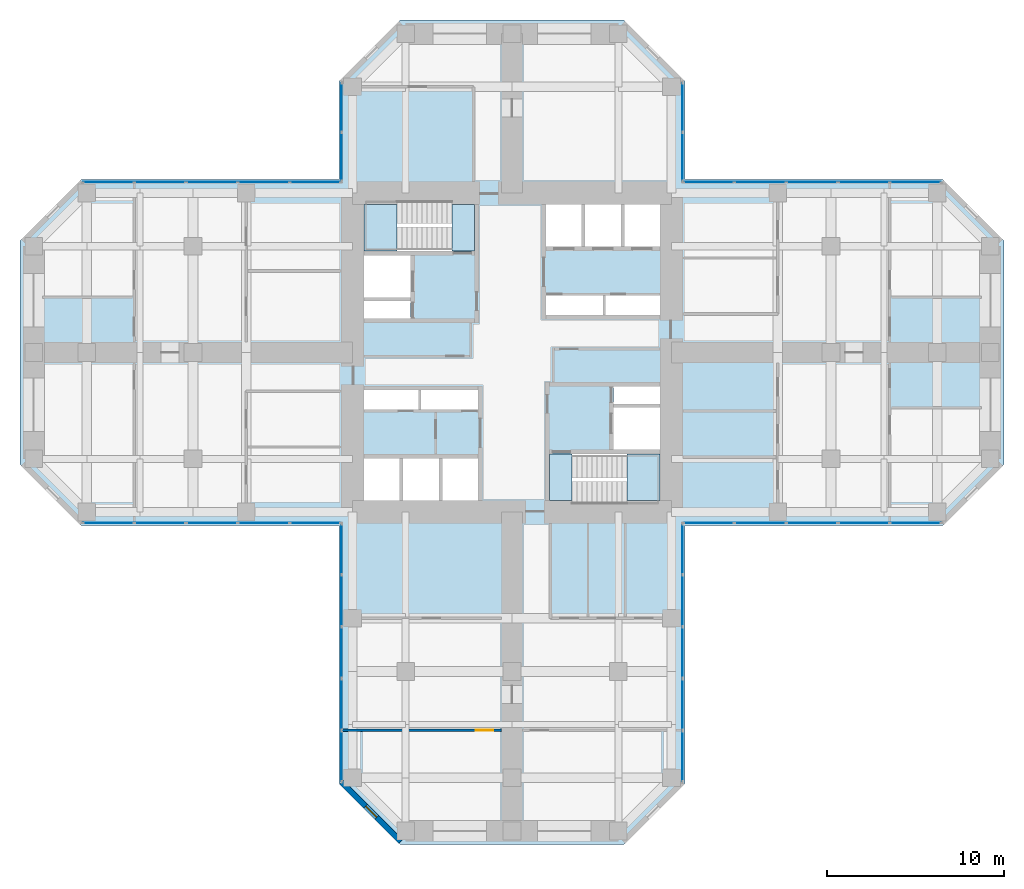
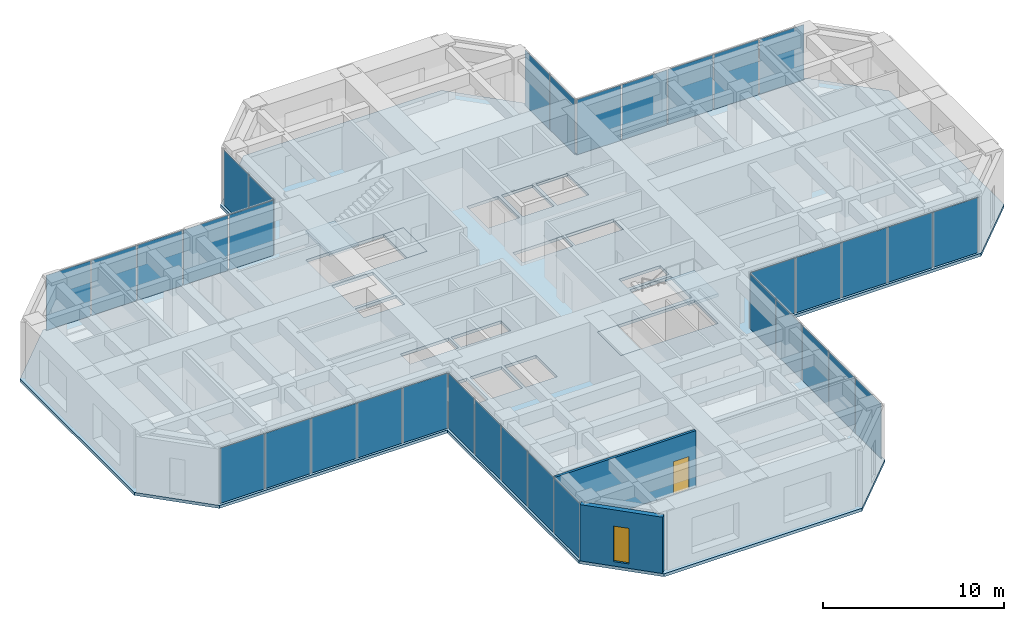
# One storey, part 7 of 13: 34 plates, 5 slabs, 2 walls, 1 door, 1 window, 2 openings, 10 elements without a shape of their own.
"""IFC4 building model written with IfcOpenShell, lengths in metres."""

import ifcopenshell
import ifcopenshell.guid

model = None  # the IFC model being written
_history = None  # IfcOwnerHistory: only IFC2X3 demands one
_inside = {}  # id of a spatial element -> (the spatial element, [elements in it])
_under = {}  # id of a project, library or spatial element -> (it, [spatial elements below it])
_declared = {}  # id of a project -> (the project, [libraries it declares])
_typed = {}  # id of a type object -> (the type object, [elements of that type])
_made_of = {}  # id of a material, layer set ... -> (it, [elements and type objects made of it])


def new_model(schema):
    """Start an empty IFC model of exactly this schema.

    Asked for "IFC4X3", IfcOpenShell would pick the latest addendum, in which some entities
    have other attributes; the version numbers below select the first issue.
    IFC2X3 requires an IfcOwnerHistory on every rooted entity: one is made here for all.
    """
    global model, _history
    if schema == "IFC4X3":
        model = ifcopenshell.file(schema_version=(4, 3, 0, 0))
    else:
        model = ifcopenshell.file(schema=schema)
    _inside.clear()
    _under.clear()
    _declared.clear()
    _typed.clear()
    _made_of.clear()
    _history = None
    if model.schema == "IFC2X3":
        org = make("IfcOrganization", Name="unknown")
        user = make(
            "IfcPersonAndOrganization",
            ThePerson=make("IfcPerson", FamilyName="unknown"),
            TheOrganization=org,
        )
        app = make(
            "IfcApplication",
            ApplicationDeveloper=org,
            Version="unknown",
            ApplicationFullName="unknown",
            ApplicationIdentifier="unknown",
        )
        _history = make(
            "IfcOwnerHistory",
            OwningUser=user,
            OwningApplication=app,
            ChangeAction="ADDED",
            CreationDate=0,
        )
    return model


def make(cls, **values):
    """One entity of the class cls with the attributes given. An attribute that is None is left unset."""
    return model.create_entity(
        cls, **{name: value for name, value in values.items() if value is not None}
    )


def rooted(cls, **values):
    """An entity with a GlobalId (a new one), such as an element, a storey or a relation."""
    return make(cls, GlobalId=ifcopenshell.guid.new(), OwnerHistory=_history, **values)


def si_unit(unit_type, name, prefix=None):
    """IfcSIUnit, for example si_unit("LENGTHUNIT", "METRE", prefix="MILLI")."""
    return make("IfcSIUnit", UnitType=unit_type, Prefix=prefix, Name=name)


def assignment(units):
    """IfcUnitAssignment: the units of a project."""
    return None if units is None else make("IfcUnitAssignment", Units=units)


def point(xyz):
    """IfcCartesianPoint."""
    return None if xyz is None else make("IfcCartesianPoint", Coordinates=xyz)


def direction(xyz):
    """IfcDirection."""
    return None if xyz is None else make("IfcDirection", DirectionRatios=xyz)


def frame(location, z_axis=None, x_axis=None):
    """IfcAxis2Placement3D, a coordinate frame: its origin and axes. An axis left out is left unset."""
    return make(
        "IfcAxis2Placement3D",
        Location=point(location),
        Axis=direction(z_axis),
        RefDirection=direction(x_axis),
    )


def frame_2d(location, x_axis=None):
    """IfcAxis2Placement2D, a coordinate frame in the plane: its origin and x axis."""
    return make(
        "IfcAxis2Placement2D", Location=point(location), RefDirection=direction(x_axis)
    )


def origin():
    """The frame at (0, 0, 0) with its axes left unset."""
    return frame((0.0, 0.0, 0.0))


def origin_2d():
    """The frame at (0, 0) in the plane with its x axis left unset."""
    return frame_2d((0.0, 0.0))


def place(relative_to, where):
    """IfcLocalPlacement: puts the frame where relative to a parent placement (None: the world)."""
    return make(
        "IfcLocalPlacement", PlacementRelTo=relative_to, RelativePlacement=where
    )


def context(
    kind, dimensions, precision=None, world=None, true_north=None, identifier=None
):
    """IfcGeometricRepresentationContext, for example the 3D "Model" context."""
    return make(
        "IfcGeometricRepresentationContext",
        ContextIdentifier=identifier,
        ContextType=kind,
        CoordinateSpaceDimension=dimensions,
        Precision=precision,
        WorldCoordinateSystem=world,
        TrueNorth=true_north,
    )


def subcontext(parent, identifier, kind, view, scale=None):
    """IfcGeometricRepresentationSubContext, for example "Body" below "Model"."""
    return make(
        "IfcGeometricRepresentationSubContext",
        ContextIdentifier=identifier,
        ContextType=kind,
        ParentContext=parent,
        TargetScale=scale,
        TargetView=view,
    )


def project(units=None, contexts=None):
    """IfcProject with its units and contexts."""
    return rooted(
        "IfcProject",
        Name="project",
        RepresentationContexts=contexts,
        UnitsInContext=assignment(units),
    )


def spatial(cls, under=None, at=None, **own):
    """A site, building, storey or space (cls), placed at a placement, below another one or the project."""
    s = rooted(cls, ObjectPlacement=at, **own)
    if under is not None:
        _under.setdefault(under.id(), (under, []))[1].append(s)
    return s


def polyline(points):
    """IfcPolyline through the points."""
    return make("IfcPolyline", Points=[point(p) for p in points])


def profile(cls, at=None, kind="AREA", **sizes):
    """A parametric profile (cls). Its sizes go by their IFC names, for example OverallWidth=200.0."""
    return make(cls, ProfileType=kind, Position=at, **sizes)


def rectangle(**sizes):
    """IfcRectangleProfileDef."""
    return profile("IfcRectangleProfileDef", **sizes)


def hollow_rectangle(**sizes):
    """IfcRectangleHollowProfileDef."""
    return profile("IfcRectangleHollowProfileDef", **sizes)


def outline(outer, holes=None, kind="AREA"):
    """IfcArbitraryClosedProfileDef: a profile drawn as a closed curve; with holes, ...WithVoids."""
    if holes is None:
        return make("IfcArbitraryClosedProfileDef", ProfileType=kind, OuterCurve=outer)
    return make(
        "IfcArbitraryProfileDefWithVoids",
        ProfileType=kind,
        OuterCurve=outer,
        InnerCurves=holes,
    )


def extrude(swept, where, along, depth):
    """IfcExtrudedAreaSolid: the profile swept, set in the frame where, extruded along a direction by depth."""
    return make(
        "IfcExtrudedAreaSolid",
        SweptArea=swept,
        Position=where,
        ExtrudedDirection=direction(along),
        Depth=depth,
    )


def shape(context_of_items, identifier, shape_type, items):
    """IfcShapeRepresentation: the items that make up one representation, for example the "Body"."""
    return make(
        "IfcShapeRepresentation",
        ContextOfItems=context_of_items,
        RepresentationIdentifier=identifier,
        RepresentationType=shape_type,
        Items=items,
    )


def material(Name=None, Category=None):
    """IfcMaterial."""
    return make("IfcMaterial", Name=Name, Category=Category)


def layer(
    of_material, thickness, ventilated=None, Name=None, Category=None, Priority=None
):
    """IfcMaterialLayer: one layer of a wall or slab, of a material (None: an air gap)."""
    return make(
        "IfcMaterialLayer",
        Material=of_material,
        LayerThickness=thickness,
        IsVentilated=ventilated,
        Name=Name,
        Category=Category,
        Priority=Priority,
    )


def layer_set(layers, Name=None):
    """IfcMaterialLayerSet."""
    return make("IfcMaterialLayerSet", MaterialLayers=layers, LayerSetName=Name)


def constituent(of_material, Name=None, Category=None, fraction=None):
    """IfcMaterialConstituent: one of the materials an element consists of."""
    return make(
        "IfcMaterialConstituent",
        Name=Name,
        Material=of_material,
        Fraction=fraction,
        Category=Category,
    )


def constituent_set(constituents=None, Name=None):
    """IfcMaterialConstituentSet."""
    return make(
        "IfcMaterialConstituentSet", Name=Name, MaterialConstituents=constituents
    )


def made_of(thing, what):
    """Note that an element or type object is made of a material, layer set ...; save() writes the relation."""
    if what is not None:
        _made_of.setdefault(what.id(), (what, []))[1].append(thing)
    return thing


def type_object(cls, material=None, **own):
    """A type object (cls), such as IfcWallType, which elements share."""
    return made_of(rooted(cls, **own), material)


def element(
    cls,
    number,
    at=None,
    inside=None,
    cuts=None,
    type_object=None,
    material=None,
    context=None,
    identifier="Body",
    shape_type=None,
    held_by="IfcProductDefinitionShape",
    body=None,
    shapes=None,
    **own,
):
    """One element of the class cls, such as IfcWall. Its Tag is "e" and its number.

    at: its placement. inside: the storey or other place that contains it. cuts: it is an
    opening in that element (IfcRelVoidsElement). A single representation is given by context,
    identifier, shape_type and body (its items); several are given by shapes. held_by: the class
    of the entity that holds the representations. save() writes the other relations.
    """
    e = rooted(cls, Tag="e%d" % number, ObjectPlacement=at, **own)
    if body is not None:
        shapes = [shape(context, identifier, shape_type, body)]
    if shapes is not None:
        e.Representation = make(held_by, Representations=shapes)
    if inside is not None:
        _inside.setdefault(inside.id(), (inside, []))[1].append(e)
    if cuts is not None:
        rooted(
            "IfcRelVoidsElement", RelatingBuildingElement=cuts, RelatedOpeningElement=e
        )
    if type_object is not None:
        _typed.setdefault(type_object.id(), (type_object, []))[1].append(e)
    return made_of(e, material)


def fill(opening, filler):
    """IfcRelFillsElement: the door or window that sits in an opening."""
    return rooted(
        "IfcRelFillsElement",
        RelatingOpeningElement=opening,
        RelatedBuildingElement=filler,
    )


def aggregate(whole, parts):
    """IfcRelAggregates: a whole, such as a stair, and the parts it consists of."""
    return rooted("IfcRelAggregates", RelatingObject=whole, RelatedObjects=parts)


def save(model, path):
    """Write the relations noted so far, then the file.

    IfcRelAggregates (storeys below a building ...), IfcRelContainedInSpatialStructure (elements
    in a storey), IfcRelDefinesByType, IfcRelAssociatesMaterial and IfcRelDeclares: one each for
    every whole, place, type object, material and project.
    """
    for whole, parts in _under.values():
        aggregate(whole, parts)
    for where, things in _inside.values():
        rooted(
            "IfcRelContainedInSpatialStructure",
            RelatedElements=things,
            RelatingStructure=where,
        )
    for kind, things in _typed.values():
        rooted("IfcRelDefinesByType", RelatedObjects=things, RelatingType=kind)
    for what, things in _made_of.values():
        rooted("IfcRelAssociatesMaterial", RelatedObjects=things, RelatingMaterial=what)
    for by, libraries in _declared.values():
        rooted("IfcRelDeclares", RelatingContext=by, RelatedDefinitions=libraries)
    model.write(path)


model = new_model("IFC4")

# Units and contexts
model_context = context("Model", 3, precision=1e-05, world=origin(), true_north=direction((0.0, 1.0)))
body_context = subcontext(model_context, "Body", "Model", "MODEL_VIEW")
ifc_project = project(units=[si_unit("LENGTHUNIT", "METRE"), si_unit("AREAUNIT", "SQUARE_METRE"), si_unit("VOLUMEUNIT", "CUBIC_METRE"), si_unit("PLANEANGLEUNIT", "RADIAN"), si_unit("MASSUNIT", "GRAM", prefix="KILO")], contexts=[model_context])

# Site, building, storey
site_placement = place(None, origin())
site = spatial("IfcSite", under=ifc_project, at=site_placement, CompositionType="ELEMENT")
building_placement = place(site_placement, origin())
building = spatial("IfcBuilding", under=site, at=building_placement, Name="Torre Cruceta", CompositionType="ELEMENT")
storey_placement = place(building_placement, frame((0.0, 0.0, 132.5)))
storey = spatial("IfcBuildingStorey", under=building, at=storey_placement, Name="L32", CompositionType="ELEMENT", Elevation=132.5)

# Curtain wall, plate
ifc_material_1 = material(Name="Aluminium unitised curtain wall", Category="aluminium")
curtain_wall_type = type_object("IfcCurtainWallType", Name="CURTAIN WALL CW-B OFFICE MID RISE", PredefinedType="USERDEFINED", material=ifc_material_1)
curtain_wall_1_placement = place(storey_placement, origin())
curtain_wall_1 = element("IfcCurtainWall", 1, at=curtain_wall_1_placement, inside=storey, type_object=curtain_wall_type, Name="CW-B L32 E side 00", ObjectType="UNITISED", PredefinedType="USERDEFINED")
ifc_material_2 = material(Name="Laminated insulating glass unit, diagonal frit 50 %", Category="glass")
ifc_material_3 = material(Name="Laminated insulating glass unit, diagonal frit 50 %", Category="glass")
ifc_layer_1 = layer(ifc_material_3, 0.031982421875)
ifc_layer_set_1 = layer_set([ifc_layer_1], Name="Laminated insulating glass unit, diagonal frit 50 %")
plate_type_1 = type_object("IfcPlateType", Name="CW-B OPERABLE VENT PANEL 32", PredefinedType="CURTAIN_PANEL", material=ifc_layer_set_1)
plate_1_placement = place(storey_placement, frame((16.9384765625, -9.6201171875, 0.010009765625), z_axis=(0.0, 0.0, 1.0), x_axis=(1.0, 0.0, 0.0)))
plate_1 = element("IfcPlate", 2, at=plate_1_placement, type_object=plate_type_1, material=ifc_material_2, Name="CW-B vent 3", PredefinedType="CURTAIN_PANEL", context=body_context, shape_type="SweptSolid", body=[
    extrude(rectangle(XDim=2.8623046875, YDim=0.031982421875, at=origin_2d()), origin(), (0.0, 0.0, 1.0), 3.72509765625),
])

curtain_wall_2_placement = place(storey_placement, origin())
curtain_wall_2 = element("IfcCurtainWall", 3, at=curtain_wall_2_placement, inside=storey, type_object=curtain_wall_type, Name="CW-B L32 E side 04", ObjectType="UNITISED", PredefinedType="USERDEFINED")
plate_2_placement = place(storey_placement, frame((16.9384765625, 9.6201171875, 0.010009765625), z_axis=(0.0, 0.0, 1.0), x_axis=(-1.0, 0.0, 0.0)))
plate_2 = element("IfcPlate", 4, at=plate_2_placement, type_object=plate_type_1, material=ifc_material_2, Name="CW-B vent 3", PredefinedType="CURTAIN_PANEL", context=body_context, shape_type="SweptSolid", body=[
    extrude(rectangle(XDim=2.8623046875, YDim=0.031982421875, at=origin_2d()), origin(), (0.0, 0.0, 1.0), 3.72509765625),
])

curtain_wall_3_placement = place(storey_placement, origin())
curtain_wall_3 = element("IfcCurtainWall", 5, at=curtain_wall_3_placement, inside=storey, type_object=curtain_wall_type, Name="CW-B L32 W side 10", ObjectType="UNITISED", PredefinedType="USERDEFINED")
plate_3_placement = place(storey_placement, frame((-16.9384765625, 9.6201171875, 0.010009765625), z_axis=(0.0, 0.0, 1.0), x_axis=(-1.0, 0.0, 0.0)))
plate_3 = element("IfcPlate", 6, at=plate_3_placement, type_object=plate_type_1, material=ifc_material_2, Name="CW-B vent 3", PredefinedType="CURTAIN_PANEL", context=body_context, shape_type="SweptSolid", body=[
    extrude(rectangle(XDim=2.8623046875, YDim=0.031982421875, at=origin_2d()), origin(), (0.0, 0.0, 1.0), 3.72509765625),
])

curtain_wall_4_placement = place(storey_placement, origin())
curtain_wall_4 = element("IfcCurtainWall", 7, at=curtain_wall_4_placement, inside=storey, type_object=curtain_wall_type, Name="CW-B L32 W side 14", ObjectType="UNITISED", PredefinedType="USERDEFINED")
plate_4_placement = place(storey_placement, frame((-16.9384765625, -9.6201171875, 0.010009765625), z_axis=(0.0, 0.0, 1.0), x_axis=(1.0, 0.0, 0.0)))
plate_4 = element("IfcPlate", 8, at=plate_4_placement, type_object=plate_type_1, material=ifc_material_2, Name="CW-B vent 3", PredefinedType="CURTAIN_PANEL", context=body_context, shape_type="SweptSolid", body=[
    extrude(rectangle(XDim=2.8623046875, YDim=0.031982421875, at=origin_2d()), origin(), (0.0, 0.0, 1.0), 3.72509765625),
])

curtain_wall_5_placement = place(storey_placement, origin())
curtain_wall_5 = element("IfcCurtainWall", 9, at=curtain_wall_5_placement, inside=storey, type_object=curtain_wall_type, Name="CW-B L32 S side 15", ObjectType="UNITISED", PredefinedType="USERDEFINED")
plate_5_placement = place(storey_placement, frame((-9.6201171875, -16.9384765625, 0.010009765625), z_axis=(0.0, 0.0, 1.0), x_axis=(0.0, -1.0, 0.0)))
plate_5 = element("IfcPlate", 10, at=plate_5_placement, type_object=plate_type_1, material=ifc_material_2, Name="CW-B vent 3", PredefinedType="CURTAIN_PANEL", context=body_context, shape_type="SweptSolid", body=[
    extrude(rectangle(XDim=2.8623046875, YDim=0.031982421875, at=origin_2d()), origin(), (0.0, 0.0, 1.0), 3.72509765625),
])

curtain_wall_6_placement = place(storey_placement, origin())
curtain_wall_6 = element("IfcCurtainWall", 11, at=curtain_wall_6_placement, inside=storey, type_object=curtain_wall_type, Name="CW-B L32 S side 19", ObjectType="UNITISED", PredefinedType="USERDEFINED")
plate_6_placement = place(storey_placement, frame((9.6201171875, -16.9384765625, 0.010009765625), z_axis=(0.0, 0.0, 1.0), x_axis=(0.0, 1.0, 0.0)))
plate_6 = element("IfcPlate", 12, at=plate_6_placement, type_object=plate_type_1, material=ifc_material_2, Name="CW-B vent 3", PredefinedType="CURTAIN_PANEL", context=body_context, shape_type="SweptSolid", body=[
    extrude(rectangle(XDim=2.8623046875, YDim=0.031982421875, at=origin_2d()), origin(), (0.0, 0.0, 1.0), 3.72509765625),
])

# Plate
ifc_material_4 = material(Name="Laminated insulating glass unit, diagonal frit 50 %", Category="glass")
ifc_layer_2 = layer(ifc_material_4, 0.031982421875)
ifc_layer_set_2 = layer_set([ifc_layer_2], Name="Laminated insulating glass unit, diagonal frit 50 %")
plate_type_2 = type_object("IfcPlateType", Name="CW-B PANEL 32", PredefinedType="CURTAIN_PANEL", material=ifc_layer_set_2)
plate_7_placement = place(storey_placement, frame((11.099853515625, -9.6201171875, 0.010009765625), z_axis=(0.0, 0.0, 1.0), x_axis=(1.0, 0.0, 0.0)))
plate_7 = element("IfcPlate", 13, at=plate_7_placement, type_object=plate_type_2, material=ifc_material_2, Name="CW-B panel 1", PredefinedType="CURTAIN_PANEL", context=body_context, shape_type="SweptSolid", body=[
    extrude(rectangle(XDim=2.829833984375, YDim=0.031982421875, at=origin_2d()), origin(), (0.0, 0.0, 1.0), 3.72509765625),
])

plate_8_placement = place(storey_placement, frame((14.010986328125, -9.6201171875, 0.010009765625), z_axis=(0.0, 0.0, 1.0), x_axis=(1.0, 0.0, 0.0)))
plate_8 = element("IfcPlate", 14, at=plate_8_placement, type_object=plate_type_2, material=ifc_material_2, Name="CW-B panel 2", PredefinedType="CURTAIN_PANEL", context=body_context, shape_type="SweptSolid", body=[
    extrude(rectangle(XDim=2.8623046875, YDim=0.031982421875, at=origin_2d()), origin(), (0.0, 0.0, 1.0), 3.72509765625),
])

plate_9_placement = place(storey_placement, frame((19.86572265625, -9.6201171875, 0.010009765625), z_axis=(0.0, 0.0, 1.0), x_axis=(1.0, 0.0, 0.0)))
plate_9 = element("IfcPlate", 15, at=plate_9_placement, type_object=plate_type_2, material=ifc_material_2, Name="CW-B panel 4", PredefinedType="CURTAIN_PANEL", context=body_context, shape_type="SweptSolid", body=[
    extrude(rectangle(XDim=2.8623046875, YDim=0.031982421875, at=origin_2d()), origin(), (0.0, 0.0, 1.0), 3.72509765625),
])

ifc_material_5 = material(Name="Laminated insulating glass unit, low-iron clear", Category="glass")
plate_10_placement = place(storey_placement, frame((22.77685546875, -9.6201171875, 0.010009765625), z_axis=(0.0, 0.0, 1.0), x_axis=(1.0, 0.0, 0.0)))
plate_10 = element("IfcPlate", 16, at=plate_10_placement, type_object=plate_type_2, material=ifc_material_5, Name="CW-B panel 5", PredefinedType="CURTAIN_PANEL", context=body_context, shape_type="SweptSolid", body=[
    extrude(rectangle(XDim=2.829833984375, YDim=0.031982421875, at=origin_2d()), origin(), (0.0, 0.0, 1.0), 3.72509765625),
])

aggregate(curtain_wall_1, [plate_7, plate_8, plate_1, plate_9, plate_10])

plate_11_placement = place(storey_placement, frame((22.77685546875, 9.6201171875, 0.010009765625), z_axis=(0.0, 0.0, 1.0), x_axis=(-1.0, 0.0, 0.0)))
plate_11 = element("IfcPlate", 17, at=plate_11_placement, type_object=plate_type_2, material=ifc_material_2, Name="CW-B panel 1", PredefinedType="CURTAIN_PANEL", context=body_context, shape_type="SweptSolid", body=[
    extrude(rectangle(XDim=2.829833984375, YDim=0.031982421875, at=origin_2d()), origin(), (0.0, 0.0, 1.0), 3.72509765625),
])

plate_12_placement = place(storey_placement, frame((19.86572265625, 9.6201171875, 0.010009765625), z_axis=(0.0, 0.0, 1.0), x_axis=(-1.0, 0.0, 0.0)))
plate_12 = element("IfcPlate", 18, at=plate_12_placement, type_object=plate_type_2, material=ifc_material_2, Name="CW-B panel 2", PredefinedType="CURTAIN_PANEL", context=body_context, shape_type="SweptSolid", body=[
    extrude(rectangle(XDim=2.8623046875, YDim=0.031982421875, at=origin_2d()), origin(), (0.0, 0.0, 1.0), 3.72509765625),
])

plate_13_placement = place(storey_placement, frame((14.010986328125, 9.6201171875, 0.010009765625), z_axis=(0.0, 0.0, 1.0), x_axis=(-1.0, 0.0, 0.0)))
plate_13 = element("IfcPlate", 19, at=plate_13_placement, type_object=plate_type_2, material=ifc_material_2, Name="CW-B panel 4", PredefinedType="CURTAIN_PANEL", context=body_context, shape_type="SweptSolid", body=[
    extrude(rectangle(XDim=2.8623046875, YDim=0.031982421875, at=origin_2d()), origin(), (0.0, 0.0, 1.0), 3.72509765625),
])

plate_14_placement = place(storey_placement, frame((11.099853515625, 9.6201171875, 0.010009765625), z_axis=(0.0, 0.0, 1.0), x_axis=(-1.0, 0.0, 0.0)))
plate_14 = element("IfcPlate", 20, at=plate_14_placement, type_object=plate_type_2, material=ifc_material_5, Name="CW-B panel 5", PredefinedType="CURTAIN_PANEL", context=body_context, shape_type="SweptSolid", body=[
    extrude(rectangle(XDim=2.829833984375, YDim=0.031982421875, at=origin_2d()), origin(), (0.0, 0.0, 1.0), 3.72509765625),
])

aggregate(curtain_wall_2, [plate_11, plate_12, plate_2, plate_13, plate_14])

# Curtain wall, plates
curtain_wall_7_placement = place(storey_placement, origin())
curtain_wall_7 = element("IfcCurtainWall", 21, at=curtain_wall_7_placement, inside=storey, type_object=curtain_wall_type, Name="CW-B L32 N side 05", ObjectType="UNITISED", PredefinedType="USERDEFINED")
plate_15_placement = place(storey_placement, frame((9.6201171875, 11.04541015625, 0.010009765625), z_axis=(0.0, 0.0, 1.0), x_axis=(0.0, 1.0, 0.0)))
plate_15 = element("IfcPlate", 22, at=plate_15_placement, type_object=plate_type_2, material=ifc_material_2, Name="CW-B panel 1", PredefinedType="CURTAIN_PANEL", context=body_context, shape_type="SweptSolid", body=[
    extrude(rectangle(XDim=2.720947265625, YDim=0.031982421875, at=origin_2d()), origin(), (0.0, 0.0, 1.0), 3.72509765625),
])
plate_16_placement = place(storey_placement, frame((9.6201171875, 13.831298828125, 0.010009765625), z_axis=(0.0, 0.0, 1.0), x_axis=(0.0, 1.0, 0.0)))
plate_16 = element("IfcPlate", 23, at=plate_16_placement, type_object=plate_type_2, material=ifc_material_2, Name="CW-B panel 2", PredefinedType="CURTAIN_PANEL", context=body_context, shape_type="SweptSolid", body=[
    extrude(rectangle(XDim=2.720947265625, YDim=0.031982421875, at=origin_2d()), origin(), (0.0, 0.0, 1.0), 3.72509765625),
])
aggregate(curtain_wall_7, [plate_15, plate_16])

curtain_wall_8_placement = place(storey_placement, origin())
curtain_wall_8 = element("IfcCurtainWall", 24, at=curtain_wall_8_placement, inside=storey, type_object=curtain_wall_type, Name="CW-B L32 N side 09", ObjectType="UNITISED", PredefinedType="USERDEFINED")
plate_17_placement = place(storey_placement, frame((-9.6201171875, 13.831298828125, 0.010009765625), z_axis=(0.0, 0.0, 1.0), x_axis=(0.0, -1.0, 0.0)))
plate_17 = element("IfcPlate", 25, at=plate_17_placement, type_object=plate_type_2, material=ifc_material_2, Name="CW-B panel 1", PredefinedType="CURTAIN_PANEL", context=body_context, shape_type="SweptSolid", body=[
    extrude(rectangle(XDim=2.720947265625, YDim=0.031982421875, at=origin_2d()), origin(), (0.0, 0.0, 1.0), 3.72509765625),
])
plate_18_placement = place(storey_placement, frame((-9.6201171875, 11.04541015625, 0.010009765625), z_axis=(0.0, 0.0, 1.0), x_axis=(0.0, -1.0, 0.0)))
plate_18 = element("IfcPlate", 26, at=plate_18_placement, type_object=plate_type_2, material=ifc_material_2, Name="CW-B panel 2", PredefinedType="CURTAIN_PANEL", context=body_context, shape_type="SweptSolid", body=[
    extrude(rectangle(XDim=2.720947265625, YDim=0.031982421875, at=origin_2d()), origin(), (0.0, 0.0, 1.0), 3.72509765625),
])
aggregate(curtain_wall_8, [plate_17, plate_18])

# Plate
plate_19_placement = place(storey_placement, frame((-11.099853515625, 9.6201171875, 0.010009765625), z_axis=(0.0, 0.0, 1.0), x_axis=(-1.0, 0.0, 0.0)))
plate_19 = element("IfcPlate", 27, at=plate_19_placement, type_object=plate_type_2, material=ifc_material_2, Name="CW-B panel 1", PredefinedType="CURTAIN_PANEL", context=body_context, shape_type="SweptSolid", body=[
    extrude(rectangle(XDim=2.829833984375, YDim=0.031982421875, at=origin_2d()), origin(), (0.0, 0.0, 1.0), 3.72509765625),
])

plate_20_placement = place(storey_placement, frame((-14.010986328125, 9.6201171875, 0.010009765625), z_axis=(0.0, 0.0, 1.0), x_axis=(-1.0, 0.0, 0.0)))
plate_20 = element("IfcPlate", 28, at=plate_20_placement, type_object=plate_type_2, material=ifc_material_2, Name="CW-B panel 2", PredefinedType="CURTAIN_PANEL", context=body_context, shape_type="SweptSolid", body=[
    extrude(rectangle(XDim=2.8623046875, YDim=0.031982421875, at=origin_2d()), origin(), (0.0, 0.0, 1.0), 3.72509765625),
])

plate_21_placement = place(storey_placement, frame((-19.86572265625, 9.6201171875, 0.010009765625), z_axis=(0.0, 0.0, 1.0), x_axis=(-1.0, 0.0, 0.0)))
plate_21 = element("IfcPlate", 29, at=plate_21_placement, type_object=plate_type_2, material=ifc_material_2, Name="CW-B panel 4", PredefinedType="CURTAIN_PANEL", context=body_context, shape_type="SweptSolid", body=[
    extrude(rectangle(XDim=2.8623046875, YDim=0.031982421875, at=origin_2d()), origin(), (0.0, 0.0, 1.0), 3.72509765625),
])

plate_22_placement = place(storey_placement, frame((-22.77685546875, 9.6201171875, 0.010009765625), z_axis=(0.0, 0.0, 1.0), x_axis=(-1.0, 0.0, 0.0)))
plate_22 = element("IfcPlate", 30, at=plate_22_placement, type_object=plate_type_2, material=ifc_material_5, Name="CW-B panel 5", PredefinedType="CURTAIN_PANEL", context=body_context, shape_type="SweptSolid", body=[
    extrude(rectangle(XDim=2.829833984375, YDim=0.031982421875, at=origin_2d()), origin(), (0.0, 0.0, 1.0), 3.72509765625),
])

aggregate(curtain_wall_3, [plate_19, plate_20, plate_3, plate_21, plate_22])

plate_23_placement = place(storey_placement, frame((-22.77685546875, -9.6201171875, 0.010009765625), z_axis=(0.0, 0.0, 1.0), x_axis=(1.0, 0.0, 0.0)))
plate_23 = element("IfcPlate", 31, at=plate_23_placement, type_object=plate_type_2, material=ifc_material_2, Name="CW-B panel 1", PredefinedType="CURTAIN_PANEL", context=body_context, shape_type="SweptSolid", body=[
    extrude(rectangle(XDim=2.829833984375, YDim=0.031982421875, at=origin_2d()), origin(), (0.0, 0.0, 1.0), 3.72509765625),
])

plate_24_placement = place(storey_placement, frame((-19.86572265625, -9.6201171875, 0.010009765625), z_axis=(0.0, 0.0, 1.0), x_axis=(1.0, 0.0, 0.0)))
plate_24 = element("IfcPlate", 32, at=plate_24_placement, type_object=plate_type_2, material=ifc_material_2, Name="CW-B panel 2", PredefinedType="CURTAIN_PANEL", context=body_context, shape_type="SweptSolid", body=[
    extrude(rectangle(XDim=2.8623046875, YDim=0.031982421875, at=origin_2d()), origin(), (0.0, 0.0, 1.0), 3.72509765625),
])

plate_25_placement = place(storey_placement, frame((-14.010986328125, -9.6201171875, 0.010009765625), z_axis=(0.0, 0.0, 1.0), x_axis=(1.0, 0.0, 0.0)))
plate_25 = element("IfcPlate", 33, at=plate_25_placement, type_object=plate_type_2, material=ifc_material_2, Name="CW-B panel 4", PredefinedType="CURTAIN_PANEL", context=body_context, shape_type="SweptSolid", body=[
    extrude(rectangle(XDim=2.8623046875, YDim=0.031982421875, at=origin_2d()), origin(), (0.0, 0.0, 1.0), 3.72509765625),
])

plate_26_placement = place(storey_placement, frame((-11.099853515625, -9.6201171875, 0.010009765625), z_axis=(0.0, 0.0, 1.0), x_axis=(1.0, 0.0, 0.0)))
plate_26 = element("IfcPlate", 34, at=plate_26_placement, type_object=plate_type_2, material=ifc_material_5, Name="CW-B panel 5", PredefinedType="CURTAIN_PANEL", context=body_context, shape_type="SweptSolid", body=[
    extrude(rectangle(XDim=2.829833984375, YDim=0.031982421875, at=origin_2d()), origin(), (0.0, 0.0, 1.0), 3.72509765625),
])

aggregate(curtain_wall_4, [plate_23, plate_24, plate_4, plate_25, plate_26])

plate_27_placement = place(storey_placement, frame((-9.6201171875, -11.099853515625, 0.010009765625), z_axis=(0.0, 0.0, 1.0), x_axis=(0.0, -1.0, 0.0)))
plate_27 = element("IfcPlate", 35, at=plate_27_placement, type_object=plate_type_2, material=ifc_material_2, Name="CW-B panel 1", PredefinedType="CURTAIN_PANEL", context=body_context, shape_type="SweptSolid", body=[
    extrude(rectangle(XDim=2.829833984375, YDim=0.031982421875, at=origin_2d()), origin(), (0.0, 0.0, 1.0), 3.72509765625),
])

plate_28_placement = place(storey_placement, frame((-9.6201171875, -14.010986328125, 0.010009765625), z_axis=(0.0, 0.0, 1.0), x_axis=(0.0, -1.0, 0.0)))
plate_28 = element("IfcPlate", 36, at=plate_28_placement, type_object=plate_type_2, material=ifc_material_2, Name="CW-B panel 2", PredefinedType="CURTAIN_PANEL", context=body_context, shape_type="SweptSolid", body=[
    extrude(rectangle(XDim=2.8623046875, YDim=0.031982421875, at=origin_2d()), origin(), (0.0, 0.0, 1.0), 3.72509765625),
])

plate_29_placement = place(storey_placement, frame((-9.6201171875, -19.86572265625, 0.010009765625), z_axis=(0.0, 0.0, 1.0), x_axis=(0.0, -1.0, 0.0)))
plate_29 = element("IfcPlate", 37, at=plate_29_placement, type_object=plate_type_2, material=ifc_material_2, Name="CW-B panel 4", PredefinedType="CURTAIN_PANEL", context=body_context, shape_type="SweptSolid", body=[
    extrude(rectangle(XDim=2.8623046875, YDim=0.031982421875, at=origin_2d()), origin(), (0.0, 0.0, 1.0), 3.72509765625),
])

plate_30_placement = place(storey_placement, frame((-9.6201171875, -22.77685546875, 0.010009765625), z_axis=(0.0, 0.0, 1.0), x_axis=(0.0, -1.0, 0.0)))
plate_30 = element("IfcPlate", 38, at=plate_30_placement, type_object=plate_type_2, material=ifc_material_5, Name="CW-B panel 5", PredefinedType="CURTAIN_PANEL", context=body_context, shape_type="SweptSolid", body=[
    extrude(rectangle(XDim=2.829833984375, YDim=0.031982421875, at=origin_2d()), origin(), (0.0, 0.0, 1.0), 3.72509765625),
])

aggregate(curtain_wall_5, [plate_27, plate_28, plate_5, plate_29, plate_30])

plate_31_placement = place(storey_placement, frame((9.6201171875, -22.77685546875, 0.010009765625), z_axis=(0.0, 0.0, 1.0), x_axis=(0.0, 1.0, 0.0)))
plate_31 = element("IfcPlate", 39, at=plate_31_placement, type_object=plate_type_2, material=ifc_material_2, Name="CW-B panel 1", PredefinedType="CURTAIN_PANEL", context=body_context, shape_type="SweptSolid", body=[
    extrude(rectangle(XDim=2.829833984375, YDim=0.031982421875, at=origin_2d()), origin(), (0.0, 0.0, 1.0), 3.72509765625),
])

plate_32_placement = place(storey_placement, frame((9.6201171875, -19.86572265625, 0.010009765625), z_axis=(0.0, 0.0, 1.0), x_axis=(0.0, 1.0, 0.0)))
plate_32 = element("IfcPlate", 40, at=plate_32_placement, type_object=plate_type_2, material=ifc_material_2, Name="CW-B panel 2", PredefinedType="CURTAIN_PANEL", context=body_context, shape_type="SweptSolid", body=[
    extrude(rectangle(XDim=2.8623046875, YDim=0.031982421875, at=origin_2d()), origin(), (0.0, 0.0, 1.0), 3.72509765625),
])

plate_33_placement = place(storey_placement, frame((9.6201171875, -14.010986328125, 0.010009765625), z_axis=(0.0, 0.0, 1.0), x_axis=(0.0, 1.0, 0.0)))
plate_33 = element("IfcPlate", 41, at=plate_33_placement, type_object=plate_type_2, material=ifc_material_2, Name="CW-B panel 4", PredefinedType="CURTAIN_PANEL", context=body_context, shape_type="SweptSolid", body=[
    extrude(rectangle(XDim=2.8623046875, YDim=0.031982421875, at=origin_2d()), origin(), (0.0, 0.0, 1.0), 3.72509765625),
])

plate_34_placement = place(storey_placement, frame((9.6201171875, -11.099853515625, 0.010009765625), z_axis=(0.0, 0.0, 1.0), x_axis=(0.0, 1.0, 0.0)))
plate_34 = element("IfcPlate", 42, at=plate_34_placement, type_object=plate_type_2, material=ifc_material_5, Name="CW-B panel 5", PredefinedType="CURTAIN_PANEL", context=body_context, shape_type="SweptSolid", body=[
    extrude(rectangle(XDim=2.829833984375, YDim=0.031982421875, at=origin_2d()), origin(), (0.0, 0.0, 1.0), 3.72509765625),
])

aggregate(curtain_wall_6, [plate_31, plate_32, plate_6, plate_33, plate_34])

# Slab
ifc_material_6 = material(Name="Concrete G35 (fck 35 MPa)", Category="concrete")
ifc_layer_3 = layer(ifc_material_6, 0.199951171875)
ifc_layer_set_3 = layer_set([ifc_layer_3], Name="Concrete G35 (fck 35 MPa)")
slab_type_1 = type_object("IfcSlabType", Name="FLOOR SLAB 200", PredefinedType="FLOOR", material=ifc_layer_set_3)
slab_1_placement = place(storey_placement, frame((0.0, 0.0, -0.199951171875)))
element("IfcSlab", 43, at=slab_1_placement, inside=storey, type_object=slab_type_1, Name="Floor Slab L32", PredefinedType="FLOOR", context=body_context, shape_type="SweptSolid", body=[
    extrude(outline(polyline([(9.77001953125, -9.77001953125), (9.77001953125, -24.31884765625), (6.31884765625, -27.77001953125), (-6.31884765625, -27.77001953125), (-9.77001953125, -24.31884765625), (-9.77001953125, -9.77001953125), (-24.31884765625, -9.77001953125), (-27.77001953125, -6.31884765625), (-27.77001953125, 6.31884765625), (-24.31884765625, 9.77001953125), (-9.77001953125, 9.77001953125), (-9.77001953125, 15.31884765625), (-6.31884765625, 18.77001953125), (6.31884765625, 18.77001953125), (9.77001953125, 15.31884765625), (9.77001953125, 9.77001953125), (24.31884765625, 9.77001953125), (27.77001953125, 6.31884765625), (27.77001953125, -6.31884765625), (24.31884765625, -9.77001953125), (9.77001953125, -9.77001953125)]), holes=[polyline([(1.925048828125, 5.97509765625), (3.933349609375, 5.97509765625), (3.933349609375, 8.35009765625), (1.925048828125, 8.35009765625), (1.925048828125, 5.97509765625)]), polyline([(4.13330078125, 5.97509765625), (6.1416015625, 5.97509765625), (6.1416015625, 8.35009765625), (4.13330078125, 8.35009765625), (4.13330078125, 5.97509765625)]), polyline([(6.341552734375, 5.97509765625), (8.35009765625, 5.97509765625), (8.35009765625, 8.35009765625), (6.341552734375, 8.35009765625), (6.341552734375, 5.97509765625)]), polyline([(1.925048828125, 2.125), (5.125, 2.125), (5.125, 3.22509765625), (1.925048828125, 3.22509765625), (1.925048828125, 2.125)]), polyline([(5.27490234375, 2.125), (8.35009765625, 2.125), (8.35009765625, 3.22509765625), (5.27490234375, 3.22509765625), (5.27490234375, 2.125)]), polyline([(-8.35009765625, 3.10009765625), (-5.72509765625, 3.10009765625), (-5.72509765625, 5.47509765625), (-8.35009765625, 5.47509765625), (-8.35009765625, 3.10009765625)]), polyline([(-8.35009765625, 1.925048828125), (-5.72509765625, 1.925048828125), (-5.72509765625, 2.89990234375), (-8.35009765625, 2.89990234375), (-8.35009765625, 1.925048828125)]), polyline([(-3.933349609375, -8.35009765625), (-1.925048828125, -8.35009765625), (-1.925048828125, -5.97509765625), (-3.933349609375, -5.97509765625), (-3.933349609375, -8.35009765625)]), polyline([(-6.1416015625, -8.35009765625), (-4.13330078125, -8.35009765625), (-4.13330078125, -5.97509765625), (-6.1416015625, -5.97509765625), (-6.1416015625, -8.35009765625)]), polyline([(-8.35009765625, -8.35009765625), (-6.341552734375, -8.35009765625), (-6.341552734375, -5.97509765625), (-8.35009765625, -5.97509765625), (-8.35009765625, -8.35009765625)]), polyline([(-5.125, -3.22509765625), (-1.925048828125, -3.22509765625), (-1.925048828125, -2.125), (-5.125, -2.125), (-5.125, -3.22509765625)]), polyline([(-8.35009765625, -3.22509765625), (-5.27490234375, -3.22509765625), (-5.27490234375, -2.125), (-8.35009765625, -2.125), (-8.35009765625, -3.22509765625)]), polyline([(5.72509765625, -5.47509765625), (8.35009765625, -5.47509765625), (8.35009765625, -3.10009765625), (5.72509765625, -3.10009765625), (5.72509765625, -5.47509765625)]), polyline([(5.72509765625, -2.89990234375), (8.35009765625, -2.89990234375), (8.35009765625, -1.925048828125), (5.72509765625, -1.925048828125), (5.72509765625, -2.89990234375)]), polyline([(-8.35009765625, 5.72509765625), (-8.35009765625, 8.35009765625), (-3.39990234375, 8.35009765625), (-2.125, 8.35009765625), (-2.125, 5.72509765625), (-3.39990234375, 5.72509765625), (-8.35009765625, 5.72509765625)]), polyline([(2.125, -5.72509765625), (3.39990234375, -5.72509765625), (8.35009765625, -5.72509765625), (8.35009765625, -8.35009765625), (3.39990234375, -8.35009765625), (2.125, -8.35009765625), (2.125, -5.72509765625)])]), origin(), (0.0, 0.0, 1.0), 0.199951171875),
])

# Stair, slab
ifc_material_7 = material(Name="Concrete G30 (fck 30 MPa)", Category="concrete")
stair_type = type_object("IfcStairType", Name="STAIR HALF-TURN 1300", PredefinedType="HALF_TURN_STAIR", material=ifc_material_7)
stair_1_placement = place(storey_placement, origin())
stair_1 = element("IfcStair", 44, at=stair_1_placement, inside=storey, type_object=stair_type, Name="Stair ST1 L32", PredefinedType="HALF_TURN_STAIR")
ifc_material_8 = material(Name="Concrete G30 (fck 30 MPa)", Category="concrete")
ifc_layer_4 = layer(ifc_material_8, 0.199951171875)
ifc_layer_set_4 = layer_set([ifc_layer_4], Name="Concrete G30 (fck 30 MPa)")
slab_type_2 = type_object("IfcSlabType", Name="STAIR LANDING 200", PredefinedType="LANDING", material=ifc_layer_set_4)
slab_2_placement = place(storey_placement, frame((0.0, 0.0, 1.800048828125)))
slab_2 = element("IfcSlab", 45, at=slab_2_placement, type_object=slab_type_2, Name="ST1 landing 1", PredefinedType="LANDING", context=body_context, shape_type="SweptSolid", body=[
    extrude(outline(polyline([(-8.35009765625, 5.72509765625), (-6.47998046875, 5.72509765625), (-6.47998046875, 8.35009765625), (-8.35009765625, 8.35009765625), (-8.35009765625, 5.72509765625)])), origin(), (0.0, 0.0, 1.0), 0.199951171875),
])
aggregate(stair_1, [slab_2])

stair_2_placement = place(storey_placement, origin())
stair_2 = element("IfcStair", 46, at=stair_2_placement, inside=storey, type_object=stair_type, Name="Stair ST2 L32", PredefinedType="HALF_TURN_STAIR")
slab_3_placement = place(storey_placement, frame((0.0, 0.0, 1.800048828125)))
slab_3 = element("IfcSlab", 47, at=slab_3_placement, type_object=slab_type_2, Name="ST2 landing 1", PredefinedType="LANDING", context=body_context, shape_type="SweptSolid", body=[
    extrude(outline(polyline([(6.47998046875, -8.35009765625), (8.35009765625, -8.35009765625), (8.35009765625, -5.72509765625), (6.47998046875, -5.72509765625), (6.47998046875, -8.35009765625)])), origin(), (0.0, 0.0, 1.0), 0.199951171875),
])
aggregate(stair_2, [slab_3])

# Slabs
slab_4_placement = place(storey_placement, frame((0.0, 0.0, -0.199951171875)))
element("IfcSlab", 48, at=slab_4_placement, inside=storey, type_object=slab_type_2, Name="Stair ST1 floor landing L32", PredefinedType="LANDING", context=body_context, shape_type="SweptSolid", body=[
    extrude(outline(polyline([(-2.125, 8.35009765625), (-2.125, 5.72509765625), (-3.39990234375, 5.72509765625), (-3.39990234375, 8.35009765625), (-2.125, 8.35009765625)])), origin(), (0.0, 0.0, 1.0), 0.199951171875),
])
slab_5_placement = place(storey_placement, frame((0.0, 0.0, -0.199951171875)))
element("IfcSlab", 49, at=slab_5_placement, inside=storey, type_object=slab_type_2, Name="Stair ST2 floor landing L32", PredefinedType="LANDING", context=body_context, shape_type="SweptSolid", body=[
    extrude(outline(polyline([(2.125, -8.35009765625), (2.125, -5.72509765625), (3.39990234375, -5.72509765625), (3.39990234375, -8.35009765625), (2.125, -8.35009765625)])), origin(), (0.0, 0.0, 1.0), 0.199951171875),
])

# Wall, opening, window
ifc_material_9 = material(Name="Concrete G30 (fck 30 MPa)", Category="concrete")
ifc_layer_5 = layer(ifc_material_9, 0.300048828125)
ifc_layer_set_5 = layer_set([ifc_layer_5], Name="Concrete G30 (fck 30 MPa)")
wall_type_1 = type_object("IfcWallType", Name="EXPOSED CONCRETE FACADE WALL 300", PredefinedType="SOLIDWALL", material=ifc_layer_set_5)
wall_1_placement = place(storey_placement, frame((-9.6201171875, -24.2568359375, 0.0), z_axis=(0.0, 0.0, 1.0), x_axis=(0.707106781187, -0.707106781187, 0.0)))
wall_1 = element("IfcWall", 50, at=wall_1_placement, inside=storey, type_object=wall_type_1, Name="EW1 facade wall L32 S chamfer 16", PredefinedType="SOLIDWALL", context=body_context, shape_type="SweptSolid", body=[
    extrude(rectangle(XDim=4.72802734375, YDim=0.300048828125, at=frame_2d((2.364013671875, 0.0))), origin(), (0.0, 0.0, 1.0), 3.800048828125),
])
opening_1_placement = place(wall_1_placement, frame((1.9140625, 0.0, 0.300048828125)))
opening_1 = element("IfcOpeningElement", 51, at=opening_1_placement, cuts=wall_1, Name="Opening WN5", PredefinedType="OPENING", context=body_context, shape_type="SweptSolid", body=[
    extrude(rectangle(XDim=0.89990234375, YDim=2.39990234375, at=frame_2d((0.449951171875, 1.199951171875))), frame((0.0, 0.159912109375, 0.0), z_axis=(0.0, -1.0, 0.0), x_axis=(1.0, 0.0, 0.0)), (0.0, 0.0, 1.0), 0.320068359375),
])
ifc_material_10 = material(Name="Aluminium window frame", Category="aluminium")
ifc_constituent_1 = constituent(ifc_material_10, Name="Frame")
ifc_material_11 = material(Name="Laminated insulating glass unit, low-iron clear", Category="glass")
ifc_constituent_2 = constituent(ifc_material_11, Name="Glazing")
ifc_constituent_set_1 = constituent_set(constituents=[ifc_constituent_1, ifc_constituent_2], Name="Aluminium window")
window_type = type_object("IfcWindowType", Name="CHAMFER SLOT WINDOW 900X2400", PartitioningType="SINGLE_PANEL", PredefinedType="WINDOW", material=ifc_constituent_set_1)
window_placement = place(opening_1_placement, origin())
window = element("IfcWindow", 52, at=window_placement, inside=storey, type_object=window_type, Name="WN5 L32 S 1", OverallHeight=2.39990234375, OverallWidth=0.89990234375, PartitioningType="SINGLE_PANEL", PredefinedType="WINDOW", context=body_context, shape_type="SweptSolid", body=[
    extrude(hollow_rectangle(XDim=0.89990234375, YDim=2.39990234375, WallThickness=0.06005859375, at=frame_2d((0.449951171875, 1.199951171875))), frame((0.0, 0.030029296875, 0.0), z_axis=(0.0, -1.0, 0.0), x_axis=(1.0, 0.0, 0.0)), (0.0, 0.0, 1.0), 0.06005859375),
    extrude(rectangle(XDim=0.77880859375, YDim=2.27880859375, at=frame_2d((0.449951171875, 1.199951171875))), frame((0.0, 0.030029296875, 0.0), z_axis=(0.0, -1.0, 0.0), x_axis=(1.0, 0.0, 0.0)), (0.0, 0.0, 1.0), 0.06005859375),
])
fill(opening_1, window)

# Wall, opening, door
ifc_material_12 = material(Name="Plasterboard on steel studs", Category="steel")
ifc_layer_6 = layer(ifc_material_12, 0.14990234375)
ifc_layer_set_6 = layer_set([ifc_layer_6], Name="Plasterboard on steel studs")
wall_type_2 = type_object("IfcWallType", Name="PARTITION 150", PredefinedType="PARTITIONING", material=ifc_layer_set_6)
wall_2_placement = place(storey_placement, frame((-9.580078125, -21.320068359375, 0.0), z_axis=(0.0, 0.0, 1.0), x_axis=(1.0, 0.0, 0.0)))
wall_2 = element("IfcWall", 53, at=wall_2_placement, inside=storey, type_object=wall_type_2, Name="PT1 L32-S-TWR", PredefinedType="PARTITIONING", context=body_context, shape_type="SweptSolid", body=[
    extrude(rectangle(XDim=8.97998046875, YDim=0.14990234375, at=frame_2d((4.489990234375, 0.0))), origin(), (0.0, 0.0, 1.0), 3.800048828125),
])
opening_2_placement = place(wall_2_placement, frame((7.530029296875, 0.0, 0.0)))
opening_2 = element("IfcOpeningElement", 54, at=opening_2_placement, cuts=wall_2, Name="Opening D14", PredefinedType="OPENING", context=body_context, shape_type="SweptSolid", body=[
    extrude(rectangle(XDim=1.0, YDim=2.199951171875, at=frame_2d((0.5, 1.10009765625))), frame((0.0, 0.0849609375, 0.0), z_axis=(0.0, -1.0, 0.0), x_axis=(1.0, 0.0, 0.0)), (0.0, 0.0, 1.0), 0.169921875),
])
ifc_material_13 = material(Name="Steel DX51D", Category="steel")
ifc_constituent_3 = constituent(ifc_material_13, Name="Leaf and frame")
ifc_material_14 = material(Name="Polyester powder coating", Category="paint")
ifc_constituent_4 = constituent(ifc_material_14, Name="Finish")
ifc_material_15 = material(Name="Fire-resisting glass", Category="glass")
ifc_constituent_5 = constituent(ifc_material_15, Name="Vision panel")
ifc_constituent_set_2 = constituent_set(constituents=[ifc_constituent_3, ifc_constituent_4, ifc_constituent_5], Name="Steel fire door with vision panel")
door_type = type_object("IfcDoorType", Name="FIRE DOOR VISION PANEL 1000X2200", OperationType="SINGLE_SWING_RIGHT", PredefinedType="DOOR", material=ifc_constituent_set_2)
door_placement = place(opening_2_placement, frame((1.0, 0.0, 0.0), z_axis=(0.0, 0.0, 1.0), x_axis=(-1.0, 0.0, 0.0)))
door = element("IfcDoor", 55, at=door_placement, inside=storey, type_object=door_type, Name="D14 L32-S-TWR-D1", OperationType="SINGLE_SWING_LEFT", OverallHeight=2.199951171875, OverallWidth=1.0, PredefinedType="DOOR", context=body_context, shape_type="SweptSolid", body=[
    extrude(rectangle(XDim=1.0, YDim=2.199951171875, at=frame_2d((0.5, 1.10009765625))), frame((0.0, 0.025146484375, 0.0), z_axis=(0.0, -1.0, 0.0), x_axis=(1.0, 0.0, 0.0)), (0.0, 0.0, 1.0), 0.050048828125),
])
fill(opening_2, door)

save(model, "model.ifc")
